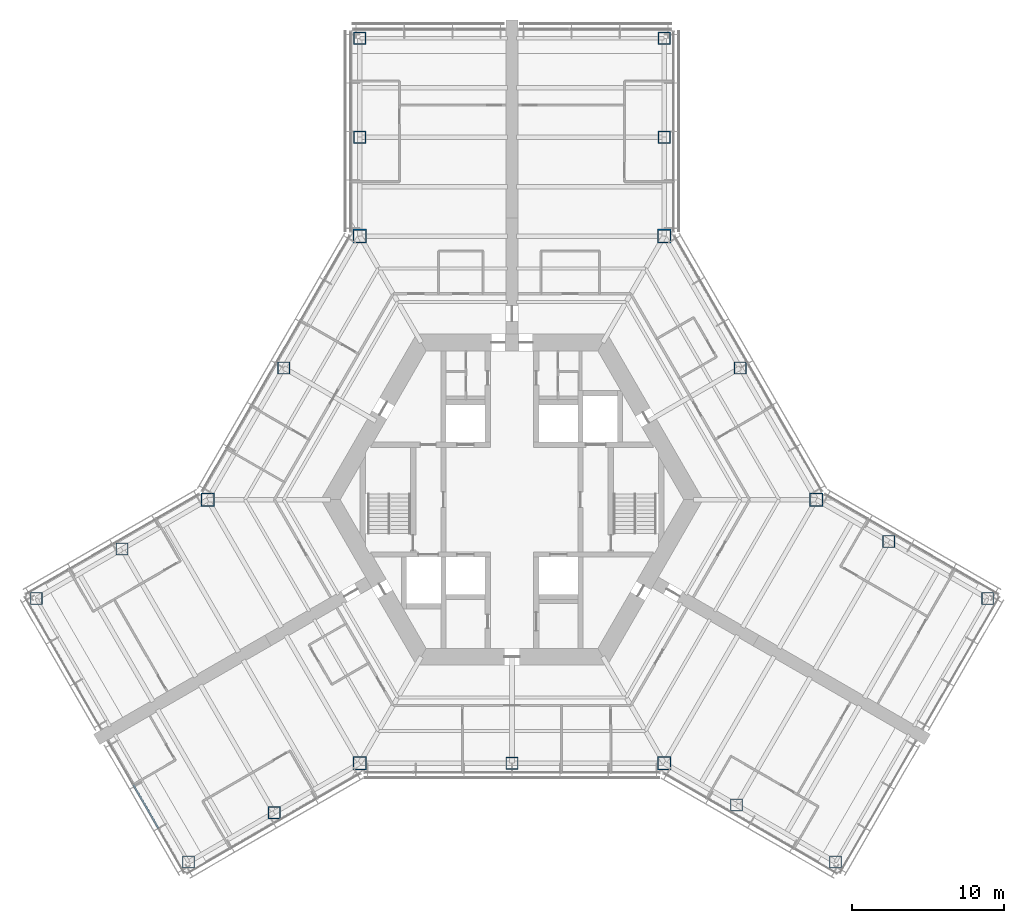
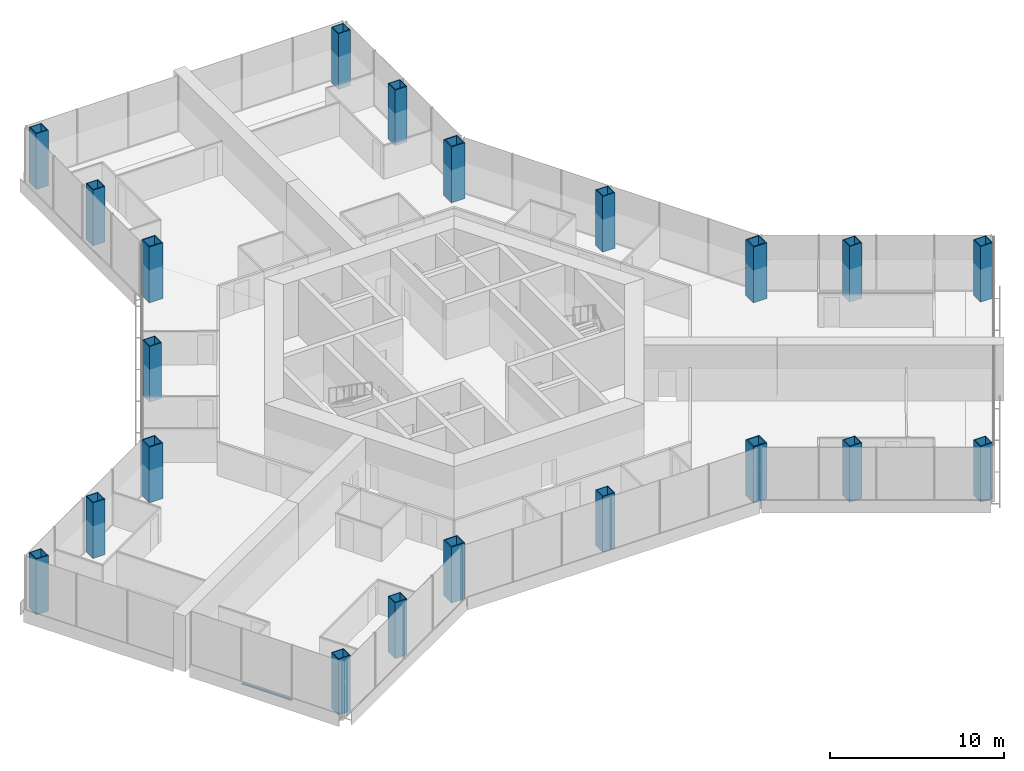
# One storey, part 1 of 18: 21 columns, 1 member, 1 element without a shape of its own.
"""IFC4 building model written with IfcOpenShell, lengths in metres."""

import ifcopenshell
import ifcopenshell.guid

model = None  # the IFC model being written
_history = None  # IfcOwnerHistory: only IFC2X3 demands one
_inside = {}  # id of a spatial element -> (the spatial element, [elements in it])
_under = {}  # id of a project, library or spatial element -> (it, [spatial elements below it])
_declared = {}  # id of a project -> (the project, [libraries it declares])
_typed = {}  # id of a type object -> (the type object, [elements of that type])
_made_of = {}  # id of a material, layer set ... -> (it, [elements and type objects made of it])


def new_model(schema):
    """Start an empty IFC model of exactly this schema.

    Asked for "IFC4X3", IfcOpenShell would pick the latest addendum, in which some entities
    have other attributes; the version numbers below select the first issue.
    IFC2X3 requires an IfcOwnerHistory on every rooted entity: one is made here for all.
    """
    global model, _history
    if schema == "IFC4X3":
        model = ifcopenshell.file(schema_version=(4, 3, 0, 0))
    else:
        model = ifcopenshell.file(schema=schema)
    _inside.clear()
    _under.clear()
    _declared.clear()
    _typed.clear()
    _made_of.clear()
    _history = None
    if model.schema == "IFC2X3":
        org = make("IfcOrganization", Name="unknown")
        user = make(
            "IfcPersonAndOrganization",
            ThePerson=make("IfcPerson", FamilyName="unknown"),
            TheOrganization=org,
        )
        app = make(
            "IfcApplication",
            ApplicationDeveloper=org,
            Version="unknown",
            ApplicationFullName="unknown",
            ApplicationIdentifier="unknown",
        )
        _history = make(
            "IfcOwnerHistory",
            OwningUser=user,
            OwningApplication=app,
            ChangeAction="ADDED",
            CreationDate=0,
        )
    return model


def make(cls, **values):
    """One entity of the class cls with the attributes given. An attribute that is None is left unset."""
    return model.create_entity(
        cls, **{name: value for name, value in values.items() if value is not None}
    )


def rooted(cls, **values):
    """An entity with a GlobalId (a new one), such as an element, a storey or a relation."""
    return make(cls, GlobalId=ifcopenshell.guid.new(), OwnerHistory=_history, **values)


def si_unit(unit_type, name, prefix=None):
    """IfcSIUnit, for example si_unit("LENGTHUNIT", "METRE", prefix="MILLI")."""
    return make("IfcSIUnit", UnitType=unit_type, Prefix=prefix, Name=name)


def assignment(units):
    """IfcUnitAssignment: the units of a project."""
    return None if units is None else make("IfcUnitAssignment", Units=units)


def point(xyz):
    """IfcCartesianPoint."""
    return None if xyz is None else make("IfcCartesianPoint", Coordinates=xyz)


def direction(xyz):
    """IfcDirection."""
    return None if xyz is None else make("IfcDirection", DirectionRatios=xyz)


def frame(location, z_axis=None, x_axis=None):
    """IfcAxis2Placement3D, a coordinate frame: its origin and axes. An axis left out is left unset."""
    return make(
        "IfcAxis2Placement3D",
        Location=point(location),
        Axis=direction(z_axis),
        RefDirection=direction(x_axis),
    )


def frame_2d(location, x_axis=None):
    """IfcAxis2Placement2D, a coordinate frame in the plane: its origin and x axis."""
    return make(
        "IfcAxis2Placement2D", Location=point(location), RefDirection=direction(x_axis)
    )


def origin():
    """The frame at (0, 0, 0) with its axes left unset."""
    return frame((0.0, 0.0, 0.0))


def origin_2d():
    """The frame at (0, 0) in the plane with its x axis left unset."""
    return frame_2d((0.0, 0.0))


def place(relative_to, where):
    """IfcLocalPlacement: puts the frame where relative to a parent placement (None: the world)."""
    return make(
        "IfcLocalPlacement", PlacementRelTo=relative_to, RelativePlacement=where
    )


def context(
    kind, dimensions, precision=None, world=None, true_north=None, identifier=None
):
    """IfcGeometricRepresentationContext, for example the 3D "Model" context."""
    return make(
        "IfcGeometricRepresentationContext",
        ContextIdentifier=identifier,
        ContextType=kind,
        CoordinateSpaceDimension=dimensions,
        Precision=precision,
        WorldCoordinateSystem=world,
        TrueNorth=true_north,
    )


def subcontext(parent, identifier, kind, view, scale=None):
    """IfcGeometricRepresentationSubContext, for example "Body" below "Model"."""
    return make(
        "IfcGeometricRepresentationSubContext",
        ContextIdentifier=identifier,
        ContextType=kind,
        ParentContext=parent,
        TargetScale=scale,
        TargetView=view,
    )


def project(units=None, contexts=None):
    """IfcProject with its units and contexts."""
    return rooted(
        "IfcProject",
        Name="project",
        RepresentationContexts=contexts,
        UnitsInContext=assignment(units),
    )


def spatial(cls, under=None, at=None, **own):
    """A site, building, storey or space (cls), placed at a placement, below another one or the project."""
    s = rooted(cls, ObjectPlacement=at, **own)
    if under is not None:
        _under.setdefault(under.id(), (under, []))[1].append(s)
    return s


def profile(cls, at=None, kind="AREA", **sizes):
    """A parametric profile (cls). Its sizes go by their IFC names, for example OverallWidth=200.0."""
    return make(cls, ProfileType=kind, Position=at, **sizes)


def rectangle(**sizes):
    """IfcRectangleProfileDef."""
    return profile("IfcRectangleProfileDef", **sizes)


def hollow_rectangle(**sizes):
    """IfcRectangleHollowProfileDef."""
    return profile("IfcRectangleHollowProfileDef", **sizes)


def extrude(swept, where, along, depth):
    """IfcExtrudedAreaSolid: the profile swept, set in the frame where, extruded along a direction by depth."""
    return make(
        "IfcExtrudedAreaSolid",
        SweptArea=swept,
        Position=where,
        ExtrudedDirection=direction(along),
        Depth=depth,
    )


def shape(context_of_items, identifier, shape_type, items):
    """IfcShapeRepresentation: the items that make up one representation, for example the "Body"."""
    return make(
        "IfcShapeRepresentation",
        ContextOfItems=context_of_items,
        RepresentationIdentifier=identifier,
        RepresentationType=shape_type,
        Items=items,
    )


def material(Name=None, Category=None):
    """IfcMaterial."""
    return make("IfcMaterial", Name=Name, Category=Category)


def material_profile(
    of_material, cross_section, Name=None, Category=None, Priority=None
):
    """IfcMaterialProfile: a cross section and its material."""
    return make(
        "IfcMaterialProfile",
        Name=Name,
        Material=of_material,
        Profile=cross_section,
        Priority=Priority,
        Category=Category,
    )


def profile_set(profiles, Name=None, composite=None):
    """IfcMaterialProfileSet."""
    return make(
        "IfcMaterialProfileSet",
        Name=Name,
        MaterialProfiles=profiles,
        CompositeProfile=composite,
    )


def made_of(thing, what):
    """Note that an element or type object is made of a material, layer set ...; save() writes the relation."""
    if what is not None:
        _made_of.setdefault(what.id(), (what, []))[1].append(thing)
    return thing


def type_object(cls, material=None, **own):
    """A type object (cls), such as IfcWallType, which elements share."""
    return made_of(rooted(cls, **own), material)


def element(
    cls,
    number,
    at=None,
    inside=None,
    cuts=None,
    type_object=None,
    material=None,
    context=None,
    identifier="Body",
    shape_type=None,
    held_by="IfcProductDefinitionShape",
    body=None,
    shapes=None,
    **own,
):
    """One element of the class cls, such as IfcWall. Its Tag is "e" and its number.

    at: its placement. inside: the storey or other place that contains it. cuts: it is an
    opening in that element (IfcRelVoidsElement). A single representation is given by context,
    identifier, shape_type and body (its items); several are given by shapes. held_by: the class
    of the entity that holds the representations. save() writes the other relations.
    """
    e = rooted(cls, Tag="e%d" % number, ObjectPlacement=at, **own)
    if body is not None:
        shapes = [shape(context, identifier, shape_type, body)]
    if shapes is not None:
        e.Representation = make(held_by, Representations=shapes)
    if inside is not None:
        _inside.setdefault(inside.id(), (inside, []))[1].append(e)
    if cuts is not None:
        rooted(
            "IfcRelVoidsElement", RelatingBuildingElement=cuts, RelatedOpeningElement=e
        )
    if type_object is not None:
        _typed.setdefault(type_object.id(), (type_object, []))[1].append(e)
    return made_of(e, material)


def aggregate(whole, parts):
    """IfcRelAggregates: a whole, such as a stair, and the parts it consists of."""
    return rooted("IfcRelAggregates", RelatingObject=whole, RelatedObjects=parts)


def save(model, path):
    """Write the relations noted so far, then the file.

    IfcRelAggregates (storeys below a building ...), IfcRelContainedInSpatialStructure (elements
    in a storey), IfcRelDefinesByType, IfcRelAssociatesMaterial and IfcRelDeclares: one each for
    every whole, place, type object, material and project.
    """
    for whole, parts in _under.values():
        aggregate(whole, parts)
    for where, things in _inside.values():
        rooted(
            "IfcRelContainedInSpatialStructure",
            RelatedElements=things,
            RelatingStructure=where,
        )
    for kind, things in _typed.values():
        rooted("IfcRelDefinesByType", RelatedObjects=things, RelatingType=kind)
    for what, things in _made_of.values():
        rooted("IfcRelAssociatesMaterial", RelatedObjects=things, RelatingMaterial=what)
    for by, libraries in _declared.values():
        rooted("IfcRelDeclares", RelatingContext=by, RelatedDefinitions=libraries)
    model.write(path)


model = new_model("IFC4")

# Units and contexts
model_context = context("Model", 3, precision=1e-05, world=origin(), true_north=direction((0.0, 1.0)))
body_context = subcontext(model_context, "Body", "Model", "MODEL_VIEW")
ifc_project = project(units=[si_unit("LENGTHUNIT", "METRE"), si_unit("AREAUNIT", "SQUARE_METRE"), si_unit("VOLUMEUNIT", "CUBIC_METRE"), si_unit("PLANEANGLEUNIT", "RADIAN"), si_unit("MASSUNIT", "GRAM", prefix="KILO")], contexts=[model_context])

# Site, building, storey
site_placement = place(None, origin())
site = spatial("IfcSite", under=ifc_project, at=site_placement, CompositionType="ELEMENT")
building_placement = place(site_placement, origin())
building = spatial("IfcBuilding", under=site, at=building_placement, Name="Kasaneha Research Tower", CompositionType="ELEMENT")
storey_placement = place(building_placement, frame((0.0, 0.0, 119.699951171875)))
storey = spatial("IfcBuildingStorey", under=building, at=storey_placement, Name="L30", CompositionType="ELEMENT", Elevation=119.699951171875)

# Columns
ifc_material_1 = material(Name="Steel SN490C", Category="steel")
ifc_material_profile_1 = material_profile(ifc_material_1, hollow_rectangle(XDim=0.800048828125, YDim=0.800048828125, WallThickness=0.044921875, at=origin_2d()), Name="BOX-800x800x45")
ifc_profile_set_1 = profile_set([ifc_material_profile_1], Name="Steel SN490C")
column_type_1 = type_object("IfcColumnType", Name="C2B column BOX-800x800x45", PredefinedType="COLUMN", material=ifc_profile_set_1)
for number, where, z_axis, x_axis, name in (
    (1, (15.0, 8.66015625, 0.0), (0.0, 0.0, 1.0), (1.0, 0.0, 0.0), "Column M030 L30"),
    (2, (-15.0, 8.66015625, 0.0), (0.0, 0.0, 1.0), (1.0, 0.0, 0.0), "Column M150 L30"),
    (3, (0.0, -17.320556640625, 0.0), (0.0, 0.0, 1.0), (1.0, 0.0, 0.0), "Column M270 L30"),
    (4, (10.0, 23.820556640625, 0.0), (0.0, 0.0, 1.0), (1.0, 0.0, 0.0), "Column ASP L30"),
    (5, (10.0, 30.320556640625, 0.0), (0.0, 0.0, 1.0), (1.0, 0.0, 0.0), "Column ATP L30"),
    (6, (-10.0, 23.820556640625, 0.0), (0.0, 0.0, 1.0), (1.0, 0.0, 0.0), "Column ASN L30"),
    (7, (-10.0, 30.320556640625, 0.0), (0.0, 0.0, 1.0), (1.0, 0.0, 0.0), "Column ATN L30"),
    (8, (-25.629150390625, -3.25, 0.0), (0.0, 0.0, 1.0), (1.0, 0.0, 0.0), "Column BSP L30"),
    (9, (-31.25830078125, -6.5, 0.0), (0.0, 0.0, 1.0), (1.0, 0.0, 0.0), "Column BTP L30"),
    (10, (-15.629150390625, -20.570556640625, 0.0), (0.0, 0.0, 1.0), (1.0, 0.0, 0.0), "Column BSN L30"),
    (11, (-21.25830078125, -23.820556640625, 0.0), (0.0, 0.0, 1.0), (1.0, 0.0, 0.0), "Column BTN L30"),
    (12, (14.76318359375, -20.070556640625, 0.0), (0.0, 0.0, 1.0), (1.0, 0.0, 0.0), "Column CSP L30"),
    (13, (21.25830078125, -23.820556640625, 0.0), (0.0, 0.0, 1.0), (1.0, 0.0, 0.0), "Column CTP L30"),
    (14, (24.76318359375, -2.75, 0.0), (0.0, 0.0, 1.0), (1.0, 0.0, 0.0), "Column CSN L30"),
    (15, (31.25830078125, -6.5, 0.0), (0.0, 0.0, 1.0), (1.0, 0.0, 0.0), "Column CTN L30"),
):
    element("IfcColumn", number, at=place(storey_placement, frame(where, z_axis=z_axis, x_axis=x_axis)), inside=storey, type_object=column_type_1, Name=name, PredefinedType="COLUMN", context=body_context, shape_type="SweptSolid", body=[
        extrude(hollow_rectangle(XDim=0.800048828125, YDim=0.800048828125, WallThickness=0.044921875, at=origin_2d()), origin(), (0.0, 0.0, 1.0), 3.900146484375),
    ])
ifc_material_2 = material(Name="Steel SN490C", Category="steel")
ifc_material_profile_2 = material_profile(ifc_material_2, hollow_rectangle(XDim=0.89990234375, YDim=0.89990234375, WallThickness=0.070068359375, at=origin_2d()), Name="BOX-900x900x70")
ifc_profile_set_2 = profile_set([ifc_material_profile_2], Name="Steel SN490C")
column_type_2 = type_object("IfcColumnType", Name="CT1 column BOX-900x900x70", PredefinedType="COLUMN", material=ifc_profile_set_2)
for number, where, z_axis, x_axis, name in (
    (16, (20.0, 0.0, 0.0), (0.0, 0.0, 1.0), (1.0, 0.0, 0.0), "Column V0 L30"),
    (17, (10.0, 17.320556640625, 0.0), (0.0, 0.0, 1.0), (1.0, 0.0, 0.0), "Column V1 L30"),
    (18, (-10.0, 17.320556640625, 0.0), (0.0, 0.0, 1.0), (1.0, 0.0, 0.0), "Column V2 L30"),
    (19, (-20.0, 0.0, 0.0), (0.0, 0.0, 1.0), (1.0, 0.0, 0.0), "Column V3 L30"),
    (20, (-10.0, -17.320556640625, 0.0), (0.0, 0.0, 1.0), (1.0, 0.0, 0.0), "Column V4 L30"),
    (21, (10.0, -17.320556640625, 0.0), (0.0, 0.0, 1.0), (1.0, 0.0, 0.0), "Column V5 L30"),
):
    element("IfcColumn", number, at=place(storey_placement, frame(where, z_axis=z_axis, x_axis=x_axis)), inside=storey, type_object=column_type_2, Name=name, PredefinedType="COLUMN", context=body_context, shape_type="SweptSolid", body=[
        extrude(hollow_rectangle(XDim=0.89990234375, YDim=0.89990234375, WallThickness=0.070068359375, at=origin_2d()), origin(), (0.0, 0.0, 1.0), 3.900146484375),
    ])

# Curtain wall, member
ifc_material_3 = material(Name="Glass and aluminium", Category="aluminium")
curtain_wall_type = type_object("IfcCurtainWallType", Name="Low-rise office curtain wall", PredefinedType="USERDEFINED", material=ifc_material_3)
curtain_wall_placement = place(storey_placement, origin())
curtain_wall = element("IfcCurtainWall", 22, at=curtain_wall_placement, inside=storey, type_object=curtain_wall_type, Name="CW-O1 L30 run 15a", ObjectType="UNITISED CURTAIN WALL", PredefinedType="USERDEFINED")
ifc_material_4 = material(Name="Aluminium 6063-T6", Category="aluminium")
ifc_material_profile_3 = material_profile(ifc_material_4, rectangle(XDim=0.1201171875, YDim=0.06005859375, at=origin_2d()), Name="CW-O1 transom 120x60")
ifc_profile_set_3 = profile_set([ifc_material_profile_3], Name="Aluminium 6063-T6")
member_type = type_object("IfcMemberType", Name="CW-O1 transom", PredefinedType="USERDEFINED", material=ifc_profile_set_3)
member_placement = place(storey_placement, frame((-24.879638671875, -18.748291015625, 0.030029296875), z_axis=(0.500014325468, -0.866017132814, 0.0), x_axis=(0.866017132814, 0.500014325468, 0.0)))
member = element("IfcMember", 23, at=member_placement, type_object=member_type, Name="CW-O1 transom 2", ObjectType="TRANSOM", PredefinedType="USERDEFINED", context=body_context, shape_type="SweptSolid", body=[
    extrude(rectangle(XDim=0.1201171875, YDim=0.06005859375, at=origin_2d()), origin(), (0.0, 0.0, 1.0), 3.306640625),
])
aggregate(curtain_wall, [member])

save(model, "model.ifc")
